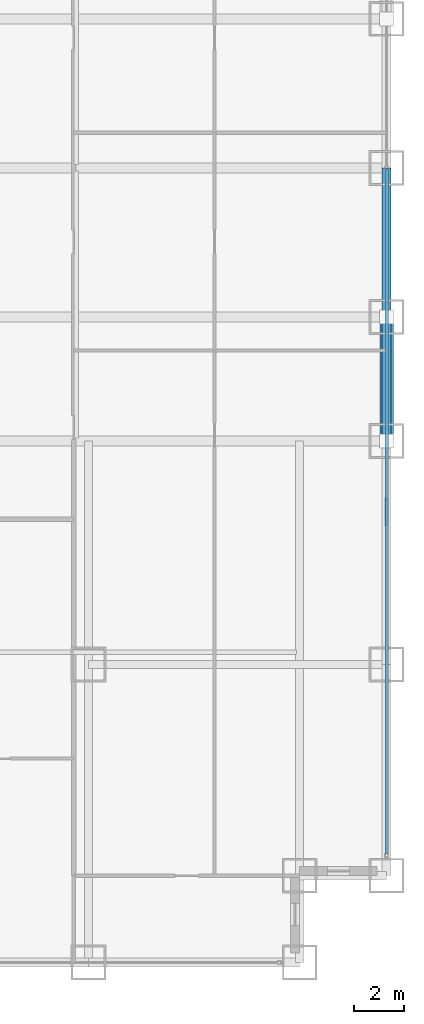
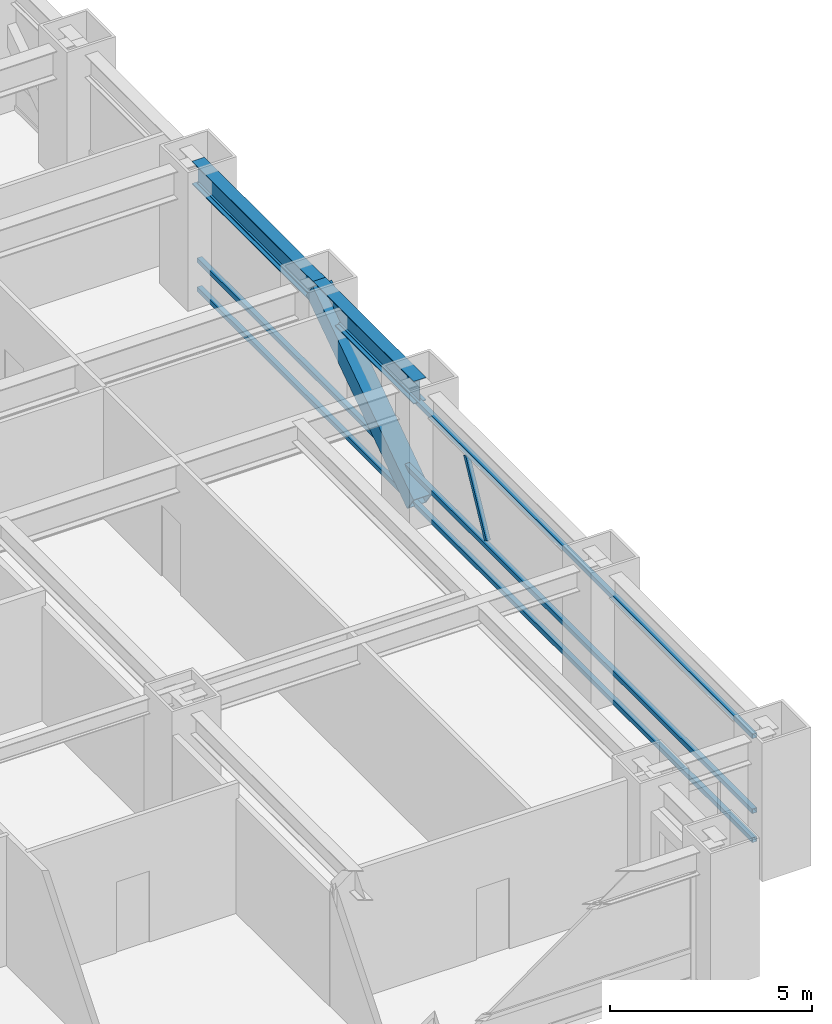
# One storey, part 13 of 28: 5 members, 2 beams, 1 element without a shape of its own.
"""IFC4 building model written with IfcOpenShell, lengths in metres."""

from ifc_helpers import new_model, si_unit, direction, frame, origin, origin_2d, place, context, subcontext, project, spatial, hollow_rectangle, i_section, extrude, source, transform, mapped, material, material_profile, profile_set, type_object, element, aggregate, save


model = new_model("IFC4")

# Units and contexts
model_context = context("Model", 3, precision=1e-05, world=origin(), true_north=direction((0.0, 1.0)))
body_context = subcontext(model_context, "Body", "Model", "MODEL_VIEW")
ifc_project = project(units=[si_unit("LENGTHUNIT", "METRE"), si_unit("AREAUNIT", "SQUARE_METRE"), si_unit("VOLUMEUNIT", "CUBIC_METRE"), si_unit("PLANEANGLEUNIT", "RADIAN"), si_unit("MASSUNIT", "GRAM", prefix="KILO")], contexts=[model_context])

# Site, building, storey
site_placement = place(None, origin())
site = spatial("IfcSite", under=ifc_project, at=site_placement, CompositionType="ELEMENT")
building_placement = place(site_placement, origin())
building = spatial("IfcBuilding", under=site, at=building_placement, Name="Khorayat Bourse Tower", CompositionType="ELEMENT")
storey_placement = place(building_placement, frame((0.0, 0.0, 83.0)))
storey = spatial("IfcBuildingStorey", under=building, at=storey_placement, Name="L18", CompositionType="ELEMENT", Elevation=83.0)

# Beams
ifc_material_1 = material(Name="Steel ASTM A992 Grade 50", Category="steel")
ifc_material_profile_1 = material_profile(ifc_material_1, i_section(OverallWidth=0.35498046875, OverallDepth=0.695068359375, WebThickness=0.015380859375, FlangeThickness=0.02490234375, FilletRadius=0.01806640625, at=origin_2d()), Name="W690X217")
ifc_profile_set_1 = profile_set([ifc_material_profile_1], Name="Steel ASTM A992 Grade 50")
beam_type = type_object("IfcBeamType", Name="BM-SPAN-690", PredefinedType="SPANDREL", material=ifc_profile_set_1)
shared_shape_1 = source(origin(), body_context, "Body", "SweptSolid", [
    extrude(i_section(OverallWidth=0.35498046875, OverallDepth=0.695068359375, WebThickness=0.015380859375, FlangeThickness=0.02490234375, FilletRadius=0.01806640625, at=origin_2d()), origin(), (0.0, 0.0, 1.0), 5.0),
])
beam_1_placement = place(storey_placement, frame((32.0, -11.0, 3.592529296875), z_axis=(0.0, 1.0, 0.0), x_axis=(-1.0, 0.0, 0.0)))
element("IfcBeam", 1, at=beam_1_placement, inside=storey, type_object=beam_type, Name="L18 BM-SPAN-690 BM-L18-SPN-036", PredefinedType="SPANDREL", context=body_context, shape_type="MappedRepresentation", body=[
    mapped(shared_shape_1, transform((0.0, 0.0, 0.0), scale=1.0)),
])
shared_shape_2 = source(origin(), body_context, "Body", "SweptSolid", [
    extrude(i_section(OverallWidth=0.35498046875, OverallDepth=0.695068359375, WebThickness=0.015380859375, FlangeThickness=0.02490234375, FilletRadius=0.01806640625, at=origin_2d()), origin(), (0.0, 0.0, 1.0), 6.0),
])
beam_2_placement = place(storey_placement, frame((32.0, -6.0, 3.592529296875), z_axis=(0.0, 1.0, 0.0), x_axis=(-1.0, 0.0, 0.0)))
element("IfcBeam", 2, at=beam_2_placement, inside=storey, type_object=beam_type, Name="L18 BM-SPAN-690 BM-L18-SPN-037", PredefinedType="SPANDREL", context=body_context, shape_type="MappedRepresentation", body=[
    mapped(shared_shape_2, transform((0.0, 0.0, 0.0), scale=1.0)),
])

# Member
ifc_material_2 = material(Name="Steel EN 10025-4 S460M", Category="steel")
ifc_material_profile_2 = material_profile(ifc_material_2, hollow_rectangle(XDim=0.550048828125, YDim=0.550048828125, WallThickness=0.031982421875, at=origin_2d()), Name="HSS 550x550x32")
ifc_profile_set_2 = profile_set([ifc_material_profile_2], Name="Steel EN 10025-4 S460M")
member_type_1 = type_object("IfcMemberType", Name="MBR-TUBE-550", PredefinedType="BRACE", material=ifc_profile_set_2)
shared_shape_3 = source(origin(), body_context, "Body", "SweptSolid", [
    extrude(hollow_rectangle(XDim=0.550048828125, YDim=0.550048828125, WallThickness=0.031982421875, at=origin_2d()), origin(), (0.0, 0.0, 1.0), 6.069091796875),
])
member_1_placement = place(storey_placement, frame((32.0, -11.0, 0.25), z_axis=(0.0, 0.823854080622, 0.566801952928), x_axis=(-1.0, 0.0, 0.0)))
element("IfcMember", 3, at=member_1_placement, inside=storey, type_object=member_type_1, Name="L18 Perimeter Tube Brace 07", PredefinedType="BRACE", context=body_context, shape_type="MappedRepresentation", body=[
    mapped(shared_shape_3, transform((0.0, 0.0, 0.0), scale=1.0)),
])

# Curtain wall, members
ifc_material_3 = material(Name="Aluminium EN AW-6063 T6", Category="aluminium")
curtain_wall_type = type_object("IfcCurtainWallType", Name="CW-SYS-02", PredefinedType="NOTDEFINED", material=ifc_material_3)
curtain_wall_placement = place(storey_placement, origin())
curtain_wall = element("IfcCurtainWall", 4, at=curtain_wall_placement, inside=storey, type_object=curtain_wall_type, Name="L18 Curtain Wall CW-L18-E1", PredefinedType="NOTDEFINED")
ifc_material_profile_3 = material_profile(ifc_material_3, hollow_rectangle(XDim=0.1201171875, YDim=0.1201171875, WallThickness=0.0048828125, at=origin_2d()), Name="ALU 120x120x5")
ifc_profile_set_3 = profile_set([ifc_material_profile_3], Name="Aluminium EN AW-6063 T6")
member_type_2 = type_object("IfcMemberType", Name="CWM-DIAG-120", PredefinedType="MULLION", material=ifc_profile_set_3)
shared_shape_4 = source(origin(), body_context, "Body", "SweptSolid", [
    extrude(hollow_rectangle(XDim=0.1201171875, YDim=0.1201171875, WallThickness=0.0048828125, at=origin_2d()), origin(), (0.0, 0.0, 1.0), 2.22607421875),
])
member_2_placement = place(storey_placement, frame((32.0, -14.3583984375, 1.10009765625), z_axis=(0.0, 0.465759992596, 0.884911085532), x_axis=(-1.0, 0.0, 0.0)))
member_2 = element("IfcMember", 5, at=member_2_placement, type_object=member_type_2, Name="CW-L18-E1 Faceted Diagonal Mullion 1", PredefinedType="MULLION", context=body_context, shape_type="MappedRepresentation", body=[
    mapped(shared_shape_4, transform((0.0, 0.0, 0.0), scale=1.0)),
])
ifc_material_profile_4 = material_profile(ifc_material_3, hollow_rectangle(XDim=0.139892578125, YDim=0.139892578125, WallThickness=0.006103515625, at=origin_2d()), Name="ALU 140x140x6")
ifc_profile_set_4 = profile_set([ifc_material_profile_4], Name="Aluminium EN AW-6063 T6")
member_type_3 = type_object("IfcMemberType", Name="CWT-HORZ-140", PredefinedType="USERDEFINED", material=ifc_profile_set_4)
shared_shape_5 = source(origin(), body_context, "Body", "SweptSolid", [
    extrude(hollow_rectangle(XDim=0.139892578125, YDim=0.139892578125, WallThickness=0.006103515625, at=origin_2d()), origin(), (0.0, 0.0, 1.0), 27.5400390625),
])
member_3_placement = place(storey_placement, frame((32.0, -27.610107421875, 0.070068359375), z_axis=(0.0, 1.0, 0.0), x_axis=(-1.0, 0.0, 0.0)))
member_3 = element("IfcMember", 6, at=member_3_placement, type_object=member_type_3, Name="CW-L18-E1 Horizontal Transom 1-1", ObjectType="TRANSOM", PredefinedType="USERDEFINED", context=body_context, shape_type="MappedRepresentation", body=[
    mapped(shared_shape_5, transform((0.0, 0.0, 0.0), scale=1.0)),
])
member_4_placement = place(storey_placement, frame((32.0, -27.610107421875, 0.949951171875), z_axis=(0.0, 1.0, 0.0), x_axis=(-1.0, 0.0, 0.0)))
member_4 = element("IfcMember", 7, at=member_4_placement, type_object=member_type_3, Name="CW-L18-E1 Horizontal Transom 1-2", ObjectType="TRANSOM", PredefinedType="USERDEFINED", context=body_context, shape_type="MappedRepresentation", body=[
    mapped(shared_shape_5, transform((0.0, 0.0, 0.0), scale=1.0)),
])
member_5_placement = place(storey_placement, frame((32.0, -27.610107421875, 3.219970703125), z_axis=(0.0, 1.0, 0.0), x_axis=(-1.0, 0.0, 0.0)))
member_5 = element("IfcMember", 8, at=member_5_placement, type_object=member_type_3, Name="CW-L18-E1 Horizontal Transom 1-3", ObjectType="TRANSOM", PredefinedType="USERDEFINED", context=body_context, shape_type="MappedRepresentation", body=[
    mapped(shared_shape_5, transform((0.0, 0.0, 0.0), scale=1.0)),
])
aggregate(curtain_wall, [member_3, member_4, member_5, member_2])

save(model, "model.ifc")
